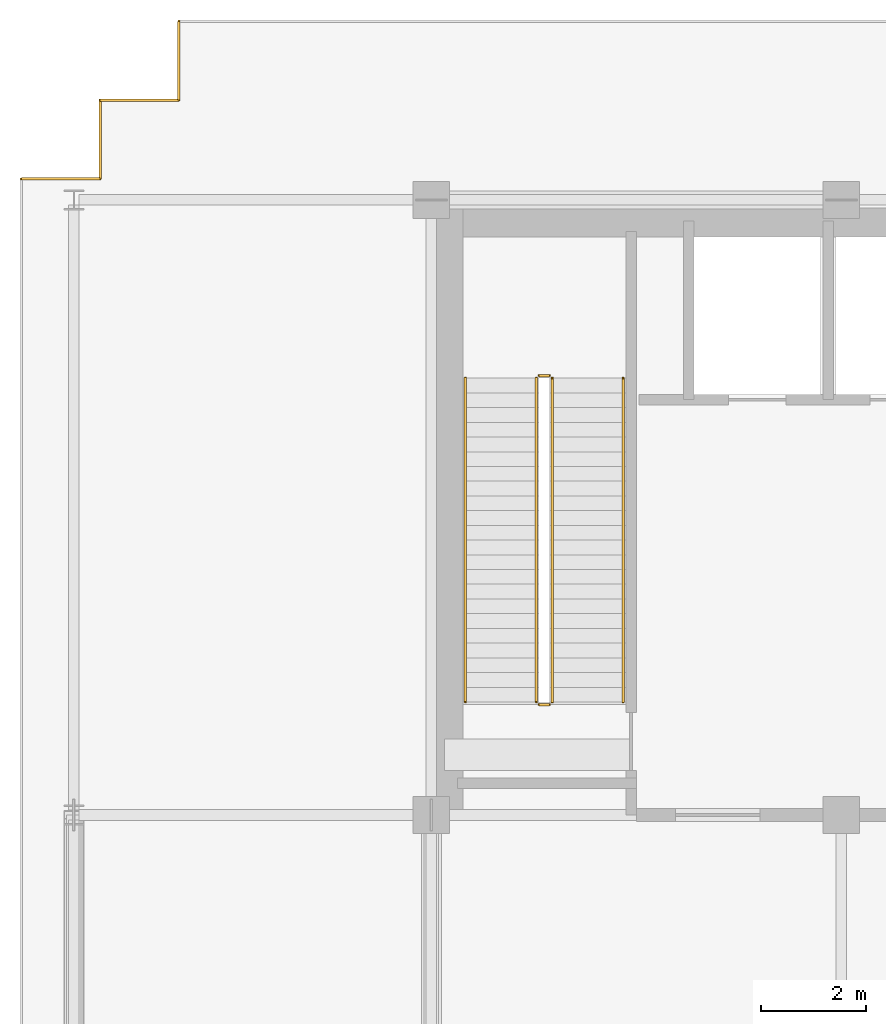
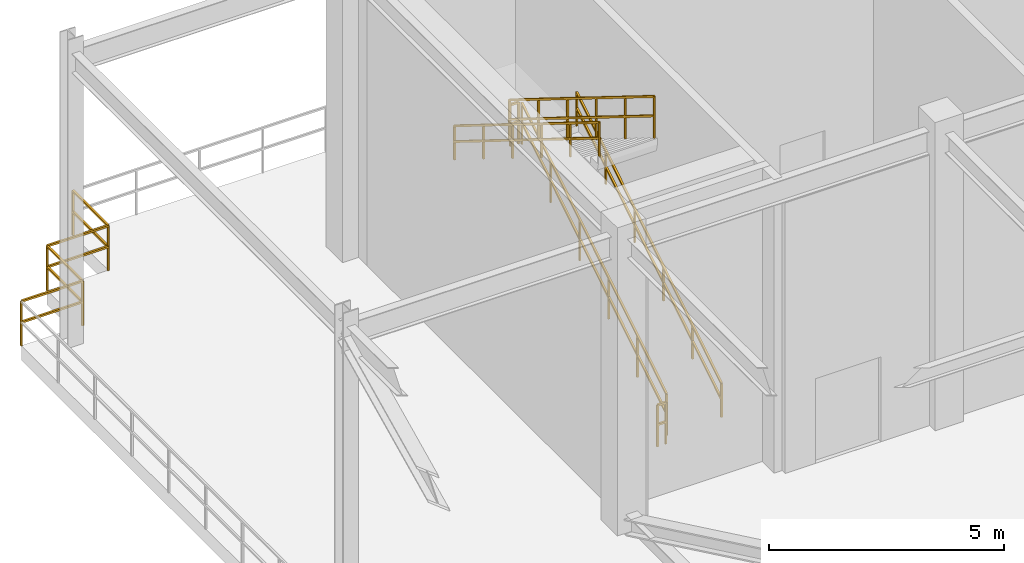
# One storey, part 12 of 14: 10 railings.
"""IFC4 building model written with IfcOpenShell, lengths in metres."""

from ifc_helpers import new_model, si_unit, direction, frame, origin, origin_2d, place, context, subcontext, project, spatial, rectangle, extrude, material, type_object, element, save


model = new_model("IFC4")

# Units and contexts
model_context = context("Model", 3, precision=1e-05, world=origin(), true_north=direction((0.0, 1.0)))
body_context = subcontext(model_context, "Body", "Model", "MODEL_VIEW")
ifc_project = project(units=[si_unit("LENGTHUNIT", "METRE"), si_unit("AREAUNIT", "SQUARE_METRE"), si_unit("VOLUMEUNIT", "CUBIC_METRE"), si_unit("PLANEANGLEUNIT", "RADIAN"), si_unit("MASSUNIT", "GRAM", prefix="KILO")], contexts=[model_context])

# Site, building, storey
site_placement = place(None, origin())
site = spatial("IfcSite", under=ifc_project, at=site_placement, CompositionType="ELEMENT")
building_placement = place(site_placement, origin())
building = spatial("IfcBuilding", under=site, at=building_placement, Name="Trelvane Seafront Commons", CompositionType="ELEMENT")
storey_placement = place(building_placement, frame((0.0, 0.0, 182.5)))
storey = spatial("IfcBuildingStorey", under=building, at=storey_placement, Name="L48", CompositionType="ELEMENT", Elevation=182.5)

# Railings
ifc_material = material(Name="Stainless steel balustrade", Category="steel")
railing_type_1 = type_object("IfcRailingType", Name="ARCH-RAIL-BAL1150", PredefinedType="BALUSTRADE", material=ifc_material)
railing_1_placement = place(storey_placement, frame((10.800048828125, 48.5, 0.0)))
element("IfcRailing", 1, at=railing_1_placement, inside=storey, type_object=railing_type_1, Name="RL-L48-PERIM-12", PredefinedType="BALUSTRADE", context=body_context, shape_type="SweptSolid", body=[
    extrude(rectangle(XDim=0.048095703125, YDim=0.048095703125, at=origin_2d()), frame((0.0, 0.0, 1.15576171875), z_axis=(0.0, -1.0, 0.0), x_axis=(1.0, 0.0, 0.0)), (0.0, 0.0, 1.0), 1.5),
    extrude(rectangle(XDim=0.048095703125, YDim=0.048095703125, at=origin_2d()), frame((0.0, 0.0, 0.613525390625), z_axis=(0.0, -1.0, 0.0), x_axis=(1.0, 0.0, 0.0)), (0.0, 0.0, 1.0), 1.5),
    extrude(rectangle(XDim=0.0419921875, YDim=0.0419921875, at=origin_2d()), origin(), (0.0, 0.0, 1.0), 1.15576171875),
    extrude(rectangle(XDim=0.0419921875, YDim=0.0419921875, at=origin_2d()), frame((0.0, -1.5, 0.0)), (0.0, 0.0, 1.0), 1.15576171875),
])
railing_2_placement = place(storey_placement, frame((10.800048828125, 47.0, 0.0)))
element("IfcRailing", 2, at=railing_2_placement, inside=storey, type_object=railing_type_1, Name="RL-L48-PERIM-13", PredefinedType="BALUSTRADE", context=body_context, shape_type="SweptSolid", body=[
    extrude(rectangle(XDim=0.048095703125, YDim=0.048095703125, at=origin_2d()), frame((0.0, 0.0, 1.15576171875), z_axis=(-1.0, 0.0, 0.0), x_axis=(0.0, -1.0, 0.0)), (0.0, 0.0, 1.0), 1.5),
    extrude(rectangle(XDim=0.048095703125, YDim=0.048095703125, at=origin_2d()), frame((0.0, 0.0, 0.613525390625), z_axis=(-1.0, 0.0, 0.0), x_axis=(0.0, -1.0, 0.0)), (0.0, 0.0, 1.0), 1.5),
    extrude(rectangle(XDim=0.0419921875, YDim=0.0419921875, at=origin_2d()), origin(), (0.0, 0.0, 1.0), 1.15576171875),
    extrude(rectangle(XDim=0.0419921875, YDim=0.0419921875, at=origin_2d()), frame((-1.5, 0.0, 0.0)), (0.0, 0.0, 1.0), 1.15576171875),
])
railing_3_placement = place(storey_placement, frame((9.300048828125, 47.0, 0.0)))
element("IfcRailing", 3, at=railing_3_placement, inside=storey, type_object=railing_type_1, Name="RL-L48-PERIM-14", PredefinedType="BALUSTRADE", context=body_context, shape_type="SweptSolid", body=[
    extrude(rectangle(XDim=0.048095703125, YDim=0.048095703125, at=origin_2d()), frame((0.0, 0.0, 1.15576171875), z_axis=(0.0, -1.0, 0.0), x_axis=(1.0, 0.0, 0.0)), (0.0, 0.0, 1.0), 1.5),
    extrude(rectangle(XDim=0.048095703125, YDim=0.048095703125, at=origin_2d()), frame((0.0, 0.0, 0.613525390625), z_axis=(0.0, -1.0, 0.0), x_axis=(1.0, 0.0, 0.0)), (0.0, 0.0, 1.0), 1.5),
    extrude(rectangle(XDim=0.0419921875, YDim=0.0419921875, at=origin_2d()), origin(), (0.0, 0.0, 1.0), 1.15576171875),
    extrude(rectangle(XDim=0.0419921875, YDim=0.0419921875, at=origin_2d()), frame((0.0, -1.5, 0.0)), (0.0, 0.0, 1.0), 1.15576171875),
])
railing_4_placement = place(storey_placement, frame((9.300048828125, 45.5, 0.0)))
element("IfcRailing", 4, at=railing_4_placement, inside=storey, type_object=railing_type_1, Name="RL-L48-PERIM-15", PredefinedType="BALUSTRADE", context=body_context, shape_type="SweptSolid", body=[
    extrude(rectangle(XDim=0.048095703125, YDim=0.048095703125, at=origin_2d()), frame((0.0, 0.0, 1.15576171875), z_axis=(-1.0, 0.0, 0.0), x_axis=(0.0, -1.0, 0.0)), (0.0, 0.0, 1.0), 1.5),
    extrude(rectangle(XDim=0.048095703125, YDim=0.048095703125, at=origin_2d()), frame((0.0, 0.0, 0.613525390625), z_axis=(-1.0, 0.0, 0.0), x_axis=(0.0, -1.0, 0.0)), (0.0, 0.0, 1.0), 1.5),
    extrude(rectangle(XDim=0.0419921875, YDim=0.0419921875, at=origin_2d()), origin(), (0.0, 0.0, 1.0), 1.15576171875),
    extrude(rectangle(XDim=0.0419921875, YDim=0.0419921875, at=origin_2d()), frame((-1.5, 0.0, 0.0)), (0.0, 0.0, 1.0), 1.15576171875),
])
railing_type_2 = type_object("IfcRailingType", Name="ARCH-SRL-GUARD", PredefinedType="GUARDRAIL", material=ifc_material)
railing_5_placement = place(storey_placement, frame((17.89990234375, 35.550048828125, 0.173828125)))
element("IfcRailing", 5, at=railing_5_placement, inside=storey, type_object=railing_type_2, Name="L48 ST-1 stair guard 1", PredefinedType="GUARDRAIL", context=body_context, shape_type="SweptSolid", body=[
    extrude(rectangle(XDim=0.048095703125, YDim=0.048095703125, at=origin_2d()), frame((0.0, 0.0, 1.076171875), z_axis=(0.0, 0.849468459523, 0.527639399851), x_axis=(-1.0, 0.0, 0.0)), (0.0, 0.0, 1.0), 7.25146484375),
    extrude(rectangle(XDim=0.048095703125, YDim=0.048095703125, at=origin_2d()), frame((0.0, 0.0, 0.572021484375), z_axis=(0.0, 0.849468459523, 0.527639399851), x_axis=(-1.0, 0.0, 0.0)), (0.0, 0.0, 1.0), 7.25146484375),
    extrude(rectangle(XDim=0.0419921875, YDim=0.0419921875, at=origin_2d()), origin(), (0.0, 0.0, 1.0), 1.076171875),
    extrude(rectangle(XDim=0.0419921875, YDim=0.0419921875, at=origin_2d()), frame((0.0, 1.23193359375, 0.76513671875)), (0.0, 0.0, 1.0), 1.076171875),
    extrude(rectangle(XDim=0.0419921875, YDim=0.0419921875, at=origin_2d()), frame((0.0, 2.4638671875, 1.530517578125)), (0.0, 0.0, 1.0), 1.076171875),
    extrude(rectangle(XDim=0.0419921875, YDim=0.0419921875, at=origin_2d()), frame((0.0, 3.696044921875, 2.295654296875)), (0.0, 0.0, 1.0), 1.076171875),
    extrude(rectangle(XDim=0.0419921875, YDim=0.0419921875, at=origin_2d()), frame((0.0, 4.927978515625, 3.06103515625)), (0.0, 0.0, 1.0), 1.076171875),
    extrude(rectangle(XDim=0.0419921875, YDim=0.0419921875, at=origin_2d()), frame((0.0, 6.159912109375, 3.826171875)), (0.0, 0.0, 1.0), 1.076171875),
])
railing_6_placement = place(storey_placement, frame((17.85009765625, 41.760009765625, 4.0)))
element("IfcRailing", 6, at=railing_6_placement, inside=storey, type_object=railing_type_2, Name="L48 ST-1 stair guard 2", PredefinedType="GUARDRAIL", context=body_context, shape_type="SweptSolid", body=[
    extrude(rectangle(XDim=0.048095703125, YDim=0.048095703125, at=origin_2d()), frame((0.0, 0.0, 1.076171875), z_axis=(-1.0, 0.0, 0.0), x_axis=(0.0, -1.0, 0.0)), (0.0, 0.0, 1.0), 0.2001953125),
    extrude(rectangle(XDim=0.048095703125, YDim=0.048095703125, at=origin_2d()), frame((0.0, 0.0, 0.572021484375), z_axis=(-1.0, 0.0, 0.0), x_axis=(0.0, -1.0, 0.0)), (0.0, 0.0, 1.0), 0.2001953125),
    extrude(rectangle(XDim=0.0419921875, YDim=0.0419921875, at=origin_2d()), origin(), (0.0, 0.0, 1.0), 1.076171875),
    extrude(rectangle(XDim=0.0419921875, YDim=0.0419921875, at=origin_2d()), frame((-0.2001953125, 0.0, 0.0)), (0.0, 0.0, 1.0), 1.076171875),
])
railing_7_placement = place(storey_placement, frame((17.60009765625, 41.7099609375, 4.173828125)))
element("IfcRailing", 7, at=railing_7_placement, inside=storey, type_object=railing_type_2, Name="L48 ST-1 stair guard 3", PredefinedType="GUARDRAIL", context=body_context, shape_type="SweptSolid", body=[
    extrude(rectangle(XDim=0.048095703125, YDim=0.048095703125, at=origin_2d()), frame((0.0, 0.0, 1.076171875), z_axis=(0.0, -0.849468459523, 0.527639399851), x_axis=(1.0, 0.0, 0.0)), (0.0, 0.0, 1.0), 7.25146484375),
    extrude(rectangle(XDim=0.048095703125, YDim=0.048095703125, at=origin_2d()), frame((0.0, 0.0, 0.572021484375), z_axis=(0.0, -0.849468459523, 0.527639399851), x_axis=(1.0, 0.0, 0.0)), (0.0, 0.0, 1.0), 7.25146484375),
    extrude(rectangle(XDim=0.0419921875, YDim=0.0419921875, at=origin_2d()), origin(), (0.0, 0.0, 1.0), 1.076171875),
    extrude(rectangle(XDim=0.0419921875, YDim=0.0419921875, at=origin_2d()), frame((0.0, -1.23193359375, 0.76513671875)), (0.0, 0.0, 1.0), 1.076171875),
    extrude(rectangle(XDim=0.0419921875, YDim=0.0419921875, at=origin_2d()), frame((0.0, -2.4638671875, 1.530517578125)), (0.0, 0.0, 1.0), 1.076171875),
    extrude(rectangle(XDim=0.0419921875, YDim=0.0419921875, at=origin_2d()), frame((0.0, -3.696044921875, 2.295654296875)), (0.0, 0.0, 1.0), 1.076171875),
    extrude(rectangle(XDim=0.0419921875, YDim=0.0419921875, at=origin_2d()), frame((0.0, -4.927978515625, 3.06103515625)), (0.0, 0.0, 1.0), 1.076171875),
    extrude(rectangle(XDim=0.0419921875, YDim=0.0419921875, at=origin_2d()), frame((0.0, -6.159912109375, 3.826171875)), (0.0, 0.0, 1.0), 1.076171875),
])
railing_8_placement = place(storey_placement, frame((17.85009765625, 35.5, 0.0)))
element("IfcRailing", 8, at=railing_8_placement, inside=storey, type_object=railing_type_2, Name="L48 ST-1 stair guard 4", PredefinedType="GUARDRAIL", context=body_context, shape_type="SweptSolid", body=[
    extrude(rectangle(XDim=0.048095703125, YDim=0.048095703125, at=origin_2d()), frame((0.0, 0.0, 1.076171875), z_axis=(-1.0, 0.0, 0.0), x_axis=(0.0, -1.0, 0.0)), (0.0, 0.0, 1.0), 0.2001953125),
    extrude(rectangle(XDim=0.048095703125, YDim=0.048095703125, at=origin_2d()), frame((0.0, 0.0, 0.572021484375), z_axis=(-1.0, 0.0, 0.0), x_axis=(0.0, -1.0, 0.0)), (0.0, 0.0, 1.0), 0.2001953125),
    extrude(rectangle(XDim=0.0419921875, YDim=0.0419921875, at=origin_2d()), origin(), (0.0, 0.0, 1.0), 1.076171875),
    extrude(rectangle(XDim=0.0419921875, YDim=0.0419921875, at=origin_2d()), frame((-0.2001953125, 0.0, 0.0)), (0.0, 0.0, 1.0), 1.076171875),
])
railing_type_3 = type_object("IfcRailingType", Name="ARCH-SRL-HAND", PredefinedType="HANDRAIL", material=ifc_material)
railing_9_placement = place(storey_placement, frame((19.25, 35.550048828125, 0.173828125)))
element("IfcRailing", 9, at=railing_9_placement, inside=storey, type_object=railing_type_3, Name="L48 ST-1 stair handrail 1", PredefinedType="HANDRAIL", context=body_context, shape_type="SweptSolid", body=[
    extrude(rectangle(XDim=0.048095703125, YDim=0.048095703125, at=origin_2d()), frame((0.0, 0.0, 0.8759765625), z_axis=(0.0, 0.849468459523, 0.527639399851), x_axis=(-1.0, 0.0, 0.0)), (0.0, 0.0, 1.0), 7.25146484375),
    extrude(rectangle(XDim=0.048095703125, YDim=0.048095703125, at=origin_2d()), frame((0.0, 0.0, 0.468017578125), z_axis=(0.0, 0.849468459523, 0.527639399851), x_axis=(-1.0, 0.0, 0.0)), (0.0, 0.0, 1.0), 7.25146484375),
    extrude(rectangle(XDim=0.0419921875, YDim=0.0419921875, at=origin_2d()), origin(), (0.0, 0.0, 1.0), 0.8759765625),
    extrude(rectangle(XDim=0.0419921875, YDim=0.0419921875, at=origin_2d()), frame((0.0, 1.23193359375, 0.76513671875)), (0.0, 0.0, 1.0), 0.8759765625),
    extrude(rectangle(XDim=0.0419921875, YDim=0.0419921875, at=origin_2d()), frame((0.0, 2.4638671875, 1.530517578125)), (0.0, 0.0, 1.0), 0.8759765625),
    extrude(rectangle(XDim=0.0419921875, YDim=0.0419921875, at=origin_2d()), frame((0.0, 3.696044921875, 2.295654296875)), (0.0, 0.0, 1.0), 0.8759765625),
    extrude(rectangle(XDim=0.0419921875, YDim=0.0419921875, at=origin_2d()), frame((0.0, 4.927978515625, 3.06103515625)), (0.0, 0.0, 1.0), 0.8759765625),
    extrude(rectangle(XDim=0.0419921875, YDim=0.0419921875, at=origin_2d()), frame((0.0, 6.159912109375, 3.826171875)), (0.0, 0.0, 1.0), 0.8759765625),
])
railing_10_placement = place(storey_placement, frame((16.25, 41.7099609375, 4.173828125)))
element("IfcRailing", 10, at=railing_10_placement, inside=storey, type_object=railing_type_3, Name="L48 ST-1 stair handrail 2", PredefinedType="HANDRAIL", context=body_context, shape_type="SweptSolid", body=[
    extrude(rectangle(XDim=0.048095703125, YDim=0.048095703125, at=origin_2d()), frame((0.0, 0.0, 0.8759765625), z_axis=(0.0, -0.849468459523, 0.527639399851), x_axis=(1.0, 0.0, 0.0)), (0.0, 0.0, 1.0), 7.25146484375),
    extrude(rectangle(XDim=0.048095703125, YDim=0.048095703125, at=origin_2d()), frame((0.0, 0.0, 0.468017578125), z_axis=(0.0, -0.849468459523, 0.527639399851), x_axis=(1.0, 0.0, 0.0)), (0.0, 0.0, 1.0), 7.25146484375),
    extrude(rectangle(XDim=0.0419921875, YDim=0.0419921875, at=origin_2d()), origin(), (0.0, 0.0, 1.0), 0.8759765625),
    extrude(rectangle(XDim=0.0419921875, YDim=0.0419921875, at=origin_2d()), frame((0.0, -1.23193359375, 0.76513671875)), (0.0, 0.0, 1.0), 0.8759765625),
    extrude(rectangle(XDim=0.0419921875, YDim=0.0419921875, at=origin_2d()), frame((0.0, -2.4638671875, 1.530517578125)), (0.0, 0.0, 1.0), 0.8759765625),
    extrude(rectangle(XDim=0.0419921875, YDim=0.0419921875, at=origin_2d()), frame((0.0, -3.696044921875, 2.295654296875)), (0.0, 0.0, 1.0), 0.8759765625),
    extrude(rectangle(XDim=0.0419921875, YDim=0.0419921875, at=origin_2d()), frame((0.0, -4.927978515625, 3.06103515625)), (0.0, 0.0, 1.0), 0.8759765625),
    extrude(rectangle(XDim=0.0419921875, YDim=0.0419921875, at=origin_2d()), frame((0.0, -6.159912109375, 3.826171875)), (0.0, 0.0, 1.0), 0.8759765625),
])

save(model, "model.ifc")
